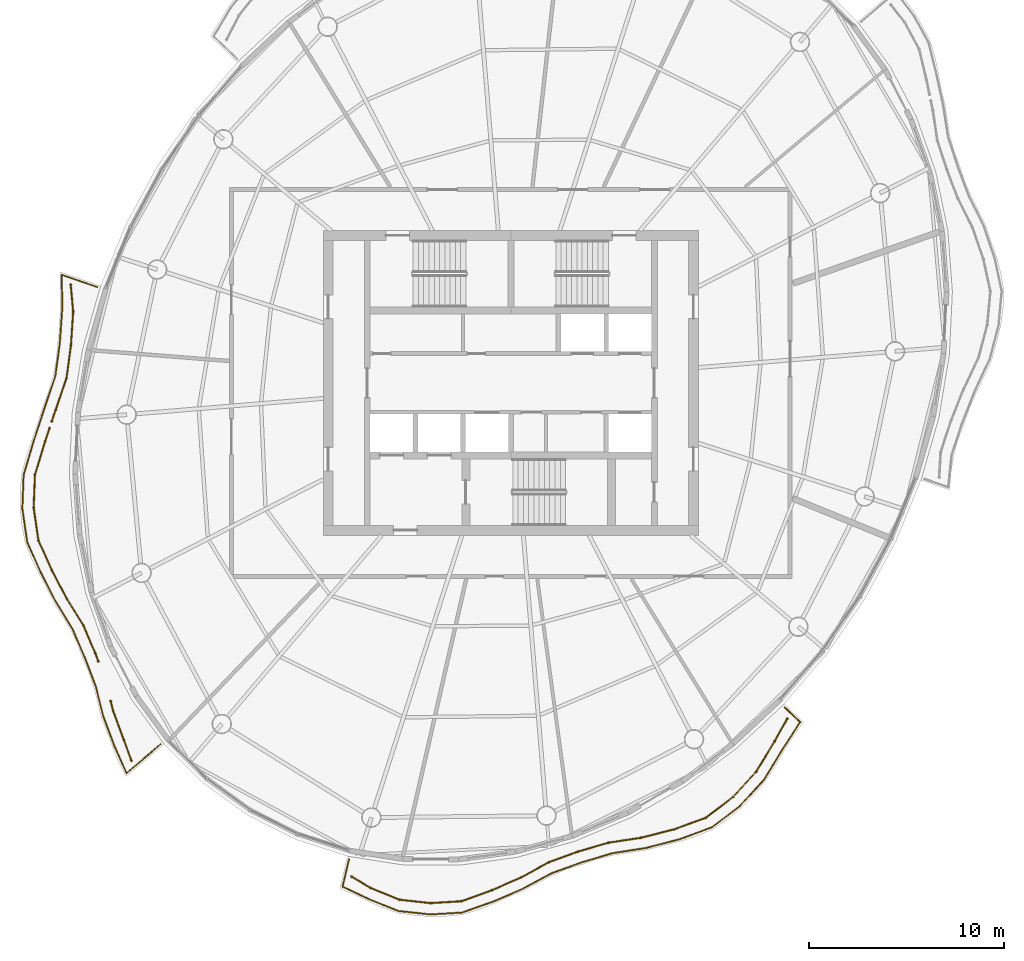
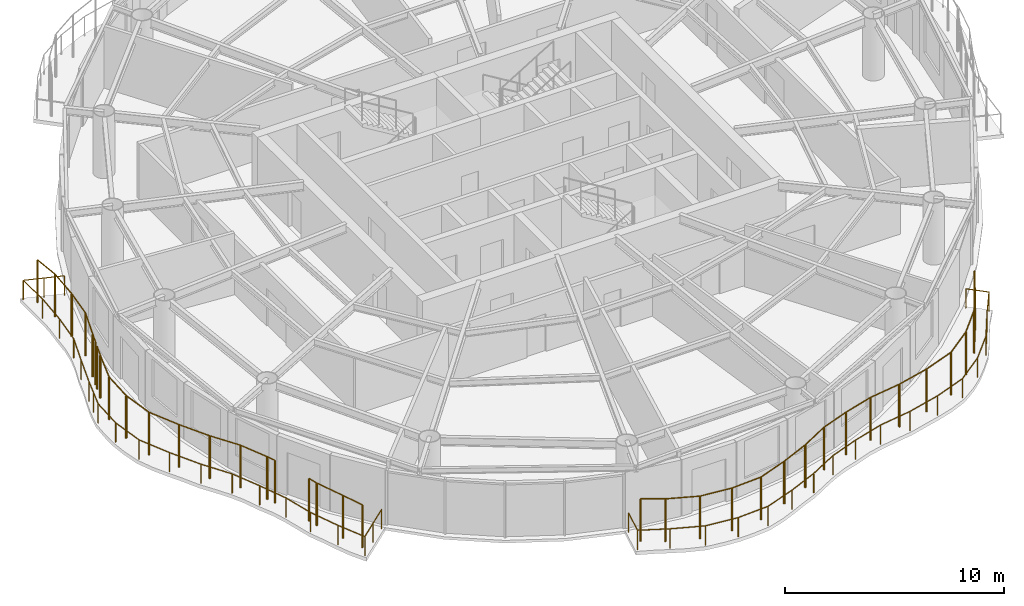
# One storey, part 12 of 14: 6 railings.
"""IFC4 building model written with IfcOpenShell, lengths in metres."""

from ifc_helpers import new_model, si_unit, direction, frame, origin, origin_2d, place, context, subcontext, project, spatial, circle, extrude, material, type_object, element, save


model = new_model("IFC4")

# Units and contexts
model_context = context("Model", 3, precision=1e-05, world=origin(), true_north=direction((0.0, 1.0)))
body_context = subcontext(model_context, "Body", "Model", "MODEL_VIEW")
ifc_project = project(units=[si_unit("LENGTHUNIT", "METRE"), si_unit("AREAUNIT", "SQUARE_METRE"), si_unit("VOLUMEUNIT", "CUBIC_METRE"), si_unit("PLANEANGLEUNIT", "RADIAN"), si_unit("MASSUNIT", "GRAM", prefix="KILO")], contexts=[model_context])

# Site, building, storey
site_placement = place(None, origin())
site = spatial("IfcSite", under=ifc_project, at=site_placement, CompositionType="ELEMENT")
building_placement = place(site_placement, origin())
building = spatial("IfcBuilding", under=site, at=building_placement, Name="Vermilion Reach Broadcast Tower", CompositionType="ELEMENT")
storey_placement = place(building_placement, frame((0.0, 0.0, 268.5)))
storey = spatial("IfcBuildingStorey", under=building, at=storey_placement, Name="L66", CompositionType="ELEMENT", Elevation=268.5)

# Railings
ifc_material_1 = material(Name="Terracotta baguette", Category="masonry")
railing_type_1 = type_object("IfcRailingType", Name="BAGUETTE SCREEN", PredefinedType="USERDEFINED", material=ifc_material_1)
railing_1_placement = place(storey_placement, frame((-28.5302734375, 5.02978515625, 0.0)))
element("IfcRailing", 1, at=railing_1_placement, inside=storey, type_object=railing_type_1, Name="Baguette screen L66 group 2 part 1", ObjectType="BAGUETTE SCREEN", PredefinedType="USERDEFINED", context=body_context, shape_type="SweptSolid", body=[
    extrude(circle(Radius=0.030029296875, at=origin_2d()), frame((0.0, 0.0, 2.369873046875), z_axis=(0.089395533047, -0.995996204145, 0.0), x_axis=(0.995996204145, 0.089395533047, 0.0)), (0.0, 0.0, 1.0), 1.39013671875),
    extrude(circle(Radius=0.030029296875, at=origin_2d()), frame((0.124267578125, -1.384521484375, 2.369873046875), z_axis=(-0.066658723078, -0.997775833861, 0.0), x_axis=(0.997775833861, -0.066658723078, 0.0)), (0.0, 0.0, 1.0), 1.73974609375),
    extrude(circle(Radius=0.030029296875, at=origin_2d()), frame((0.00830078125, -3.120361328125, 2.369873046875), z_axis=(-0.133747742675, -0.991015409229, 0.0), x_axis=(0.991015409229, -0.133747742675, 0.0)), (0.0, 0.0, 1.0), 1.67578125),
    extrude(circle(Radius=0.030029296875, at=origin_2d()), frame((-0.2158203125, -4.781005859375, 2.369873046875), z_axis=(-0.324765123047, -0.945794700161, 0.0), x_axis=(0.945794700161, -0.324765123047, 0.0)), (0.0, 0.0, 1.0), 1.713134765625),
    extrude(circle(Radius=0.030029296875, at=origin_2d()), frame((-0.772216796875, -6.4013671875, 2.369873046875), z_axis=(-0.315762230803, -0.948838349561, 0.0), x_axis=(0.948838349561, -0.315762230803, 0.0)), (0.0, 0.0, 1.0), 0.62939453125),
    extrude(circle(Radius=0.050048828125, at=origin_2d()), origin(), (0.0, 0.0, 1.0), 2.33984375),
    extrude(circle(Radius=0.050048828125, at=origin_2d()), frame((0.124267578125, -1.384521484375, 0.0)), (0.0, 0.0, 1.0), 2.33984375),
    extrude(circle(Radius=0.050048828125, at=origin_2d()), frame((0.00830078125, -3.120361328125, 0.0)), (0.0, 0.0, 1.0), 2.33984375),
    extrude(circle(Radius=0.050048828125, at=origin_2d()), frame((-0.2158203125, -4.781005859375, 0.0)), (0.0, 0.0, 1.0), 2.33984375),
    extrude(circle(Radius=0.050048828125, at=origin_2d()), frame((-0.772216796875, -6.4013671875, 0.0)), (0.0, 0.0, 1.0), 2.33984375),
    extrude(circle(Radius=0.050048828125, at=origin_2d()), frame((-0.970947265625, -6.99853515625, 0.0)), (0.0, 0.0, 1.0), 2.33984375),
])
railing_2_placement = place(storey_placement, frame((-29.61767578125, -2.31884765625, 0.0)))
element("IfcRailing", 2, at=railing_2_placement, inside=storey, type_object=railing_type_1, Name="Baguette screen L66 group 2 part 2", ObjectType="BAGUETTE SCREEN", PredefinedType="USERDEFINED", context=body_context, shape_type="SweptSolid", body=[
    extrude(circle(Radius=0.030029296875, at=origin_2d()), frame((0.0, 0.0, 2.369873046875), z_axis=(-0.315720674798, -0.9488521779, 0.0), x_axis=(0.9488521779, -0.315720674798, 0.0)), (0.0, 0.0, 1.0), 0.72216796875),
    extrude(circle(Radius=0.030029296875, at=origin_2d()), frame((-0.22802734375, -0.685302734375, 2.369873046875), z_axis=(-0.291348424108, -0.956617005792, 0.0), x_axis=(0.956617005792, -0.291348424108, 0.0)), (0.0, 0.0, 1.0), 1.76806640625),
    extrude(circle(Radius=0.030029296875, at=origin_2d()), frame((-0.7431640625, -2.376708984375, 2.369873046875), z_axis=(-0.040360889197, -0.999185167335, 0.0), x_axis=(0.999185167335, -0.040360889197, 0.0)), (0.0, 0.0, 1.0), 1.687744140625),
    extrude(circle(Radius=0.030029296875, at=origin_2d()), frame((-0.811279296875, -4.06298828125, 2.369873046875), z_axis=(0.144088942447, -0.989564741017, 0.0), x_axis=(0.989564741017, 0.144088942447, 0.0)), (0.0, 0.0, 1.0), 1.69091796875),
    extrude(circle(Radius=0.030029296875, at=origin_2d()), frame((-0.567626953125, -5.736328125, 2.369873046875), z_axis=(0.411284471127, -0.911507039913, 0.0), x_axis=(0.911507039913, 0.411284471127, 0.0)), (0.0, 0.0, 1.0), 1.688232421875),
    extrude(circle(Radius=0.030029296875, at=origin_2d()), frame((0.126708984375, -7.275146484375, 2.369873046875), z_axis=(0.462897434216, -0.886411848632, 0.0), x_axis=(0.886411848632, 0.462897434216, 0.0)), (0.0, 0.0, 1.0), 1.661376953125),
    extrude(circle(Radius=0.030029296875, at=origin_2d()), frame((0.895751953125, -8.747802734375, 2.369873046875), z_axis=(0.528664523033, -0.848830855993, 0.0), x_axis=(0.848830855993, 0.528664523033, 0.0)), (0.0, 0.0, 1.0), 1.595947265625),
    extrude(circle(Radius=0.030029296875, at=origin_2d()), frame((1.739501953125, -10.1025390625, 2.369873046875), z_axis=(0.392708114985, -0.919663164656, 0.0), x_axis=(0.919663164656, 0.392708114985, 0.0)), (0.0, 0.0, 1.0), 1.532958984375),
    extrude(circle(Radius=0.030029296875, at=origin_2d()), frame((2.341552734375, -11.512451171875, 2.369873046875), z_axis=(0.356996961049, -0.934105545322, 0.0), x_axis=(0.934105545322, 0.356996961049, 0.0)), (0.0, 0.0, 1.0), 0.44580078125),
    extrude(circle(Radius=0.050048828125, at=origin_2d()), origin(), (0.0, 0.0, 1.0), 2.33984375),
    extrude(circle(Radius=0.050048828125, at=origin_2d()), frame((-0.22802734375, -0.685302734375, 0.0)), (0.0, 0.0, 1.0), 2.33984375),
    extrude(circle(Radius=0.050048828125, at=origin_2d()), frame((-0.7431640625, -2.376708984375, 0.0)), (0.0, 0.0, 1.0), 2.33984375),
    extrude(circle(Radius=0.050048828125, at=origin_2d()), frame((-0.811279296875, -4.06298828125, 0.0)), (0.0, 0.0, 1.0), 2.33984375),
    extrude(circle(Radius=0.050048828125, at=origin_2d()), frame((-0.567626953125, -5.736328125, 0.0)), (0.0, 0.0, 1.0), 2.33984375),
    extrude(circle(Radius=0.050048828125, at=origin_2d()), frame((0.126708984375, -7.275146484375, 0.0)), (0.0, 0.0, 1.0), 2.33984375),
    extrude(circle(Radius=0.050048828125, at=origin_2d()), frame((0.895751953125, -8.747802734375, 0.0)), (0.0, 0.0, 1.0), 2.33984375),
    extrude(circle(Radius=0.050048828125, at=origin_2d()), frame((1.739501953125, -10.1025390625, 0.0)), (0.0, 0.0, 1.0), 2.33984375),
    extrude(circle(Radius=0.050048828125, at=origin_2d()), frame((2.341552734375, -11.512451171875, 0.0)), (0.0, 0.0, 1.0), 2.33984375),
    extrude(circle(Radius=0.050048828125, at=origin_2d()), frame((2.500732421875, -11.928955078125, 0.0)), (0.0, 0.0, 1.0), 2.33984375),
])
railing_3_placement = place(storey_placement, frame((-26.484375, -16.2861328125, 0.0)))
element("IfcRailing", 3, at=railing_3_placement, inside=storey, type_object=railing_type_1, Name="Baguette screen L66 group 2 part 3", ObjectType="BAGUETTE SCREEN", PredefinedType="USERDEFINED", context=body_context, shape_type="SweptSolid", body=[
    extrude(circle(Radius=0.030029296875, at=origin_2d()), frame((0.0, 0.0, 2.369873046875), z_axis=(0.235544310267, -0.97186361075, 0.0), x_axis=(0.97186361075, 0.235544310267, 0.0)), (0.0, 0.0, 1.0), 0.501708984375),
    extrude(circle(Radius=0.030029296875, at=origin_2d()), frame((0.1181640625, -0.487548828125, 2.369873046875), z_axis=(0.347786913493, -0.937573603939, 0.0), x_axis=(0.937573603939, 0.347786913493, 0.0)), (0.0, 0.0, 1.0), 1.564697265625),
    extrude(circle(Radius=0.030029296875, at=origin_2d()), frame((0.662353515625, -1.95458984375, 2.369873046875), z_axis=(0.341186683094, -0.939995557053, 0.0), x_axis=(0.939995557053, 0.341186683094, 0.0)), (0.0, 0.0, 1.0), 1.162841796875),
    extrude(circle(Radius=0.050048828125, at=origin_2d()), origin(), (0.0, 0.0, 1.0), 2.33984375),
    extrude(circle(Radius=0.050048828125, at=origin_2d()), frame((0.1181640625, -0.487548828125, 0.0)), (0.0, 0.0, 1.0), 2.33984375),
    extrude(circle(Radius=0.050048828125, at=origin_2d()), frame((0.662353515625, -1.95458984375, 0.0)), (0.0, 0.0, 1.0), 2.33984375),
    extrude(circle(Radius=0.050048828125, at=origin_2d()), frame((1.05908203125, -3.047607421875, 0.0)), (0.0, 0.0, 1.0), 2.33984375),
])
railing_4_placement = place(storey_placement, frame((-14.15380859375, -25.265380859375, 0.0)))
element("IfcRailing", 4, at=railing_4_placement, inside=storey, type_object=railing_type_1, Name="Baguette screen L66 group 3", ObjectType="BAGUETTE SCREEN", PredefinedType="USERDEFINED", context=body_context, shape_type="SweptSolid", body=[
    extrude(circle(Radius=0.030029296875, at=origin_2d()), frame((0.0, 0.0, 2.369873046875), z_axis=(0.857549940922, -0.514400718142, 0.0), x_axis=(0.514400718142, 0.857549940922, 0.0)), (0.0, 0.0, 1.0), 1.13330078125),
    extrude(circle(Radius=0.030029296875, at=origin_2d()), frame((0.971923828125, -0.5830078125, 2.369873046875), z_axis=(0.926238492576, -0.376937998709, 0.0), x_axis=(0.376937998709, 0.926238492576, 0.0)), (0.0, 0.0, 1.0), 1.59912109375),
    extrude(circle(Radius=0.030029296875, at=origin_2d()), frame((2.453125, -1.185791015625, 2.369873046875), z_axis=(0.994046857087, -0.108953411676, 0.0), x_axis=(0.108953411676, 0.994046857087, 0.0)), (0.0, 0.0, 1.0), 1.595458984375),
    extrude(circle(Radius=0.030029296875, at=origin_2d()), frame((4.0390625, -1.359619140625, 2.369873046875), z_axis=(0.998239222995, 0.059316554815, 0.0), x_axis=(-0.059316554815, 0.998239222995, 0.0)), (0.0, 0.0, 1.0), 1.588623046875),
    extrude(circle(Radius=0.030029296875, at=origin_2d()), frame((5.625, -1.265380859375, 2.369873046875), z_axis=(0.940260975704, 0.340454545523, 0.0), x_axis=(-0.340454545523, 0.940260975704, 0.0)), (0.0, 0.0, 1.0), 1.65869140625),
    extrude(circle(Radius=0.030029296875, at=origin_2d()), frame((7.1845703125, -0.70068359375, 2.369873046875), z_axis=(0.915822176932, 0.401584038826, 0.0), x_axis=(-0.401584038826, 0.915822176932, 0.0)), (0.0, 0.0, 1.0), 1.623291015625),
    extrude(circle(Radius=0.030029296875, at=origin_2d()), frame((8.671142578125, -0.048828125, 2.369873046875), z_axis=(0.877935309599, 0.4787792729, 0.0), x_axis=(-0.4787792729, 0.877935309599, 0.0)), (0.0, 0.0, 1.0), 1.6435546875),
    extrude(circle(Radius=0.030029296875, at=origin_2d()), frame((10.114013671875, 0.738037109375, 2.369873046875), z_axis=(0.939648035772, 0.342142614813, 0.0), x_axis=(-0.342142614813, 0.939648035772, 0.0)), (0.0, 0.0, 1.0), 1.56982421875),
    extrude(circle(Radius=0.030029296875, at=origin_2d()), frame((11.589111328125, 1.275146484375, 2.369873046875), z_axis=(0.959343833824, 0.282239983887, 0.0), x_axis=(-0.282239983887, 0.959343833824, 0.0)), (0.0, 0.0, 1.0), 1.614990234375),
    extrude(circle(Radius=0.030029296875, at=origin_2d()), frame((13.138427734375, 1.73095703125, 2.369873046875), z_axis=(0.988783410017, 0.149356513334, 0.0), x_axis=(-0.149356513334, 0.988783410017, 0.0)), (0.0, 0.0, 1.0), 1.69189453125),
    extrude(circle(Radius=0.030029296875, at=origin_2d()), frame((14.811279296875, 1.983642578125, 2.369873046875), z_axis=(0.969303981799, 0.245865391768, 0.0), x_axis=(-0.245865391768, 0.969303981799, 0.0)), (0.0, 0.0, 1.0), 1.74169921875),
    extrude(circle(Radius=0.030029296875, at=origin_2d()), frame((16.49951171875, 2.411865234375, 2.369873046875), z_axis=(0.93935946701, 0.342934092412, 0.0), x_axis=(-0.342934092412, 0.93935946701, 0.0)), (0.0, 0.0, 1.0), 1.744140625),
    extrude(circle(Radius=0.030029296875, at=origin_2d()), frame((18.137939453125, 3.010009765625, 2.369873046875), z_axis=(0.795124530641, 0.606446189511, 0.0), x_axis=(-0.606446189511, 0.795124530641, 0.0)), (0.0, 0.0, 1.0), 1.751953125),
    extrude(circle(Radius=0.030029296875, at=origin_2d()), frame((19.531005859375, 4.072509765625, 2.369873046875), z_axis=(0.674335147769, 0.738425425133, 0.0), x_axis=(-0.738425425133, 0.674335147769, 0.0)), (0.0, 0.0, 1.0), 1.760009765625),
    extrude(circle(Radius=0.030029296875, at=origin_2d()), frame((20.7177734375, 5.3720703125, 2.369873046875), z_axis=(0.517506006285, 0.855679574057, 0.0), x_axis=(-0.855679574057, 0.517506006285, 0.0)), (0.0, 0.0, 1.0), 1.822998046875),
    extrude(circle(Radius=0.030029296875, at=origin_2d()), frame((21.6611328125, 6.931884765625, 2.369873046875), z_axis=(0.489864300538, 0.871798696408, 0.0), x_axis=(-0.871798696408, 0.489864300538, 0.0)), (0.0, 0.0, 1.0), 1.314208984375),
    extrude(circle(Radius=0.050048828125, at=origin_2d()), origin(), (0.0, 0.0, 1.0), 2.33984375),
    extrude(circle(Radius=0.050048828125, at=origin_2d()), frame((0.971923828125, -0.5830078125, 0.0)), (0.0, 0.0, 1.0), 2.33984375),
    extrude(circle(Radius=0.050048828125, at=origin_2d()), frame((2.453125, -1.185791015625, 0.0)), (0.0, 0.0, 1.0), 2.33984375),
    extrude(circle(Radius=0.050048828125, at=origin_2d()), frame((4.0390625, -1.359619140625, 0.0)), (0.0, 0.0, 1.0), 2.33984375),
    extrude(circle(Radius=0.050048828125, at=origin_2d()), frame((5.625, -1.265380859375, 0.0)), (0.0, 0.0, 1.0), 2.33984375),
    extrude(circle(Radius=0.050048828125, at=origin_2d()), frame((7.1845703125, -0.70068359375, 0.0)), (0.0, 0.0, 1.0), 2.33984375),
    extrude(circle(Radius=0.050048828125, at=origin_2d()), frame((8.671142578125, -0.048828125, 0.0)), (0.0, 0.0, 1.0), 2.33984375),
    extrude(circle(Radius=0.050048828125, at=origin_2d()), frame((10.114013671875, 0.738037109375, 0.0)), (0.0, 0.0, 1.0), 2.33984375),
    extrude(circle(Radius=0.050048828125, at=origin_2d()), frame((11.589111328125, 1.275146484375, 0.0)), (0.0, 0.0, 1.0), 2.33984375),
    extrude(circle(Radius=0.050048828125, at=origin_2d()), frame((13.138427734375, 1.73095703125, 0.0)), (0.0, 0.0, 1.0), 2.33984375),
    extrude(circle(Radius=0.050048828125, at=origin_2d()), frame((14.811279296875, 1.983642578125, 0.0)), (0.0, 0.0, 1.0), 2.33984375),
    extrude(circle(Radius=0.050048828125, at=origin_2d()), frame((16.49951171875, 2.411865234375, 0.0)), (0.0, 0.0, 1.0), 2.33984375),
    extrude(circle(Radius=0.050048828125, at=origin_2d()), frame((18.137939453125, 3.010009765625, 0.0)), (0.0, 0.0, 1.0), 2.33984375),
    extrude(circle(Radius=0.050048828125, at=origin_2d()), frame((19.531005859375, 4.072509765625, 0.0)), (0.0, 0.0, 1.0), 2.33984375),
    extrude(circle(Radius=0.050048828125, at=origin_2d()), frame((20.7177734375, 5.3720703125, 0.0)), (0.0, 0.0, 1.0), 2.33984375),
    extrude(circle(Radius=0.050048828125, at=origin_2d()), frame((21.189453125, 6.15185546875, 0.0)), (0.0, 0.0, 1.0), 2.33984375),
    extrude(circle(Radius=0.050048828125, at=origin_2d()), frame((21.6611328125, 6.931884765625, 0.0)), (0.0, 0.0, 1.0), 2.33984375),
    extrude(circle(Radius=0.050048828125, at=origin_2d()), frame((22.304931640625, 8.07763671875, 0.0)), (0.0, 0.0, 1.0), 2.33984375),
])
ifc_material_2 = material(Name="Stainless steel 316 balustrade", Category="steel")
railing_type_2 = type_object("IfcRailingType", Name="Balcony guard 1100", PredefinedType="BALUSTRADE", material=ifc_material_2)
railing_5_placement = place(storey_placement, frame((-27.17431640625, 4.910400390625, 0.0)))
element("IfcRailing", 5, at=railing_5_placement, inside=storey, type_object=railing_type_2, Name="Balcony guard L66 group 2", PredefinedType="BALUSTRADE", context=body_context, shape_type="SweptSolid", body=[
    extrude(circle(Radius=0.02490234375, at=origin_2d()), frame((0.0, 0.0, 1.0751953125), z_axis=(-0.945297241815, 0.326210246032, 0.0), x_axis=(-0.326210246032, -0.945297241815, 0.0)), (0.0, 0.0, 1.0), 1.9189453125),
    extrude(circle(Radius=0.02490234375, at=origin_2d()), frame((-1.81396484375, 0.6259765625, 1.0751953125), z_axis=(0.014091047298, -0.999900716264, 0.0), x_axis=(0.999900716264, 0.014091047298, 0.0)), (0.0, 0.0, 1.0), 1.732666015625),
    extrude(circle(Radius=0.02490234375, at=origin_2d()), frame((-1.78955078125, -1.1064453125, 1.0751953125), z_axis=(-0.070003281481, -0.9975467611, 0.0), x_axis=(0.9975467611, -0.070003281481, 0.0)), (0.0, 0.0, 1.0), 1.771728515625),
    extrude(circle(Radius=0.02490234375, at=origin_2d()), frame((-1.91357421875, -2.873779296875, 1.0751953125), z_axis=(-0.134775171086, -0.99087620481, 0.0), x_axis=(0.99087620481, -0.134775171086, 0.0)), (0.0, 0.0, 1.0), 1.708251953125),
    extrude(circle(Radius=0.02490234375, at=origin_2d()), frame((-2.143798828125, -4.56640625, 1.0751953125), z_axis=(-0.321213523008, -0.94700679651, 0.0), x_axis=(0.94700679651, -0.321213523008, 0.0)), (0.0, 0.0, 1.0), 1.74658203125),
    extrude(circle(Radius=0.02490234375, at=origin_2d()), frame((-2.704833984375, -6.220458984375, 1.0751953125), z_axis=(-0.311295123477, -0.950313288395, 0.0), x_axis=(0.950313288395, -0.311295123477, 0.0)), (0.0, 0.0, 1.0), 1.753662109375),
    extrude(circle(Radius=0.02490234375, at=origin_2d()), frame((-3.250732421875, -7.886962890625, 1.0751953125), z_axis=(-0.286241587975, -0.958157478348, 0.0), x_axis=(0.958157478348, -0.286241587975, 0.0)), (0.0, 0.0, 1.0), 1.80224609375),
    extrude(circle(Radius=0.02490234375, at=origin_2d()), frame((-3.7666015625, -9.61376953125, 1.0751953125), z_axis=(-0.038541959625, -0.999256982637, 0.0), x_axis=(0.999256982637, -0.038541959625, 0.0)), (0.0, 0.0, 1.0), 1.722900390625),
    extrude(circle(Radius=0.02490234375, at=origin_2d()), frame((-3.8330078125, -11.33544921875, 1.0751953125), z_axis=(0.143398991079, -0.989664958134, 0.0), x_axis=(0.989664958134, 0.143398991079, 0.0)), (0.0, 0.0, 1.0), 1.72802734375),
    extrude(circle(Radius=0.02490234375, at=origin_2d()), frame((-3.585205078125, -13.045654296875, 1.0751953125), z_axis=(0.406256707788, -0.913758987577, 0.0), x_axis=(0.913758987577, 0.406256707788, 0.0)), (0.0, 0.0, 1.0), 1.72412109375),
    extrude(circle(Radius=0.02490234375, at=origin_2d()), frame((-2.884765625, -14.62109375, 1.0751953125), z_axis=(0.457984111887, -0.888960377778, 0.0), x_axis=(0.888960377778, 0.457984111887, 0.0)), (0.0, 0.0, 1.0), 1.699462890625),
    extrude(circle(Radius=0.02490234375, at=origin_2d()), frame((-2.1064453125, -16.1318359375, 1.0751953125), z_axis=(0.523388661591, -0.85209407281, 0.0), x_axis=(0.85209407281, 0.523388661591, 0.0)), (0.0, 0.0, 1.0), 1.634033203125),
    extrude(circle(Radius=0.02490234375, at=origin_2d()), frame((-1.251220703125, -17.524169921875, 1.0751953125), z_axis=(0.392046804897, -0.919945271617, 0.0), x_axis=(0.919945271617, 0.392046804897, 0.0)), (0.0, 0.0, 1.0), 1.57421875),
    extrude(circle(Radius=0.02490234375, at=origin_2d()), frame((-0.634033203125, -18.972412109375, 1.0751953125), z_axis=(0.359148556882, -0.933280404857, 0.0), x_axis=(0.933280404857, 0.359148556882, 0.0)), (0.0, 0.0, 1.0), 1.54443359375),
    extrude(circle(Radius=0.02490234375, at=origin_2d()), frame((-0.079345703125, -20.413818359375, 1.0751953125), z_axis=(0.242889262478, -0.970054022296, 0.0), x_axis=(0.970054022296, 0.242889262478, 0.0)), (0.0, 0.0, 1.0), 1.624267578125),
    extrude(circle(Radius=0.02490234375, at=origin_2d()), frame((0.315185546875, -21.989501953125, 1.0751953125), z_axis=(0.353586722966, -0.935401747562, 0.0), x_axis=(0.935401747562, 0.353586722966, 0.0)), (0.0, 0.0, 1.0), 1.606689453125),
    extrude(circle(Radius=0.02490234375, at=origin_2d()), frame((0.88330078125, -23.492431640625, 1.0751953125), z_axis=(0.405396144347, -0.914141108445, 0.0), x_axis=(0.914141108445, 0.405396144347, 0.0)), (0.0, 0.0, 1.0), 1.526123046875),
    extrude(circle(Radius=0.02490234375, at=origin_2d()), frame((1.501953125, -24.887451171875, 1.0751953125), z_axis=(0.760579914988, 0.649244324516, 0.0), x_axis=(-0.649244324516, 0.760579914988, 0.0)), (0.0, 0.0, 1.0), 2.289306640625),
    extrude(circle(Radius=0.02490234375, at=origin_2d()), origin(), (0.0, 0.0, 1.0), 1.050048828125),
    extrude(circle(Radius=0.02490234375, at=origin_2d()), frame((-0.906982421875, 0.31298828125, 0.0)), (0.0, 0.0, 1.0), 1.050048828125),
    extrude(circle(Radius=0.02490234375, at=origin_2d()), frame((-1.81396484375, 0.6259765625, 0.0)), (0.0, 0.0, 1.0), 1.050048828125),
    extrude(circle(Radius=0.02490234375, at=origin_2d()), frame((-1.78955078125, -1.1064453125, 0.0)), (0.0, 0.0, 1.0), 1.050048828125),
    extrude(circle(Radius=0.02490234375, at=origin_2d()), frame((-1.91357421875, -2.873779296875, 0.0)), (0.0, 0.0, 1.0), 1.050048828125),
    extrude(circle(Radius=0.02490234375, at=origin_2d()), frame((-2.143798828125, -4.56640625, 0.0)), (0.0, 0.0, 1.0), 1.050048828125),
    extrude(circle(Radius=0.02490234375, at=origin_2d()), frame((-2.704833984375, -6.220458984375, 0.0)), (0.0, 0.0, 1.0), 1.050048828125),
    extrude(circle(Radius=0.02490234375, at=origin_2d()), frame((-3.250732421875, -7.886962890625, 0.0)), (0.0, 0.0, 1.0), 1.050048828125),
    extrude(circle(Radius=0.02490234375, at=origin_2d()), frame((-3.5087890625, -8.75048828125, 0.0)), (0.0, 0.0, 1.0), 1.050048828125),
    extrude(circle(Radius=0.02490234375, at=origin_2d()), frame((-3.7666015625, -9.61376953125, 0.0)), (0.0, 0.0, 1.0), 1.050048828125),
    extrude(circle(Radius=0.02490234375, at=origin_2d()), frame((-3.8330078125, -11.33544921875, 0.0)), (0.0, 0.0, 1.0), 1.050048828125),
    extrude(circle(Radius=0.02490234375, at=origin_2d()), frame((-3.585205078125, -13.045654296875, 0.0)), (0.0, 0.0, 1.0), 1.050048828125),
    extrude(circle(Radius=0.02490234375, at=origin_2d()), frame((-2.884765625, -14.62109375, 0.0)), (0.0, 0.0, 1.0), 1.050048828125),
    extrude(circle(Radius=0.02490234375, at=origin_2d()), frame((-2.1064453125, -16.1318359375, 0.0)), (0.0, 0.0, 1.0), 1.050048828125),
    extrude(circle(Radius=0.02490234375, at=origin_2d()), frame((-1.251220703125, -17.524169921875, 0.0)), (0.0, 0.0, 1.0), 1.050048828125),
    extrude(circle(Radius=0.02490234375, at=origin_2d()), frame((-0.634033203125, -18.972412109375, 0.0)), (0.0, 0.0, 1.0), 1.050048828125),
    extrude(circle(Radius=0.02490234375, at=origin_2d()), frame((-0.079345703125, -20.413818359375, 0.0)), (0.0, 0.0, 1.0), 1.050048828125),
    extrude(circle(Radius=0.02490234375, at=origin_2d()), frame((0.315185546875, -21.989501953125, 0.0)), (0.0, 0.0, 1.0), 1.050048828125),
    extrude(circle(Radius=0.02490234375, at=origin_2d()), frame((0.88330078125, -23.492431640625, 0.0)), (0.0, 0.0, 1.0), 1.050048828125),
    extrude(circle(Radius=0.02490234375, at=origin_2d()), frame((1.501953125, -24.887451171875, 0.0)), (0.0, 0.0, 1.0), 1.050048828125),
    extrude(circle(Radius=0.02490234375, at=origin_2d()), frame((2.37255859375, -24.144287109375, 0.0)), (0.0, 0.0, 1.0), 1.050048828125),
    extrude(circle(Radius=0.02490234375, at=origin_2d()), frame((3.2431640625, -23.401123046875, 0.0)), (0.0, 0.0, 1.0), 1.050048828125),
])
railing_6_placement = place(storey_placement, frame((-14.28369140625, -24.388671875, 0.0)))
element("IfcRailing", 6, at=railing_6_placement, inside=storey, type_object=railing_type_2, Name="Balcony guard L66 group 3", PredefinedType="BALUSTRADE", context=body_context, shape_type="SweptSolid", body=[
    extrude(circle(Radius=0.02490234375, at=origin_2d()), frame((0.0, 0.0, 1.0751953125), z_axis=(-0.231258492464, -0.972892342278, 0.0), x_axis=(0.972892342278, -0.231258492464, 0.0)), (0.0, 0.0, 1.0), 1.428466796875),
    extrude(circle(Radius=0.02490234375, at=origin_2d()), frame((-0.330322265625, -1.3896484375, 1.0751953125), z_axis=(0.901814696817, -0.432122960054, 0.0), x_axis=(0.432122960054, 0.901814696817, 0.0)), (0.0, 0.0, 1.0), 1.488037109375),
    extrude(circle(Radius=0.02490234375, at=origin_2d()), frame((1.01171875, -2.03271484375, 1.0751953125), z_axis=(0.928876401171, -0.370389836994, 0.0), x_axis=(0.370389836994, 0.928876401171, 0.0)), (0.0, 0.0, 1.0), 1.640625),
    extrude(circle(Radius=0.02490234375, at=origin_2d()), frame((2.53564453125, -2.640380859375, 1.0751953125), z_axis=(0.994229401846, -0.107274864278, 0.0), x_axis=(0.107274864278, 0.994229401846, 0.0)), (0.0, 0.0, 1.0), 1.638671875),
    extrude(circle(Radius=0.02490234375, at=origin_2d()), frame((4.164794921875, -2.816162109375, 1.0751953125), z_axis=(0.998292402928, 0.058414709249, 0.0), x_axis=(-0.058414709249, 0.998292402928, 0.0)), (0.0, 0.0, 1.0), 1.6298828125),
    extrude(circle(Radius=0.02490234375, at=origin_2d()), frame((5.7919921875, -2.720947265625, 1.0751953125), z_axis=(0.942261056348, 0.334879234486, 0.0), x_axis=(-0.334879234486, 0.942261056348, 0.0)), (0.0, 0.0, 1.0), 1.69873046875),
    extrude(circle(Radius=0.02490234375, at=origin_2d()), frame((7.392578125, -2.152099609375, 1.0751953125), z_axis=(0.918115826455, 0.396312161323, 0.0), x_axis=(-0.396312161323, 0.918115826455, 0.0)), (0.0, 0.0, 1.0), 1.661376953125),
    extrude(circle(Radius=0.02490234375, at=origin_2d()), frame((8.91796875, -1.49365234375, 1.0751953125), z_axis=(0.880792605237, 0.473502256129, 0.0), x_axis=(-0.473502256129, 0.880792605237, 0.0)), (0.0, 0.0, 1.0), 1.681396484375),
    extrude(circle(Radius=0.02490234375, at=origin_2d()), frame((10.39892578125, -0.697509765625, 1.0751953125), z_axis=(0.940028313791, 0.34109642225, 0.0), x_axis=(-0.34109642225, 0.940028313791, 0.0)), (0.0, 0.0, 1.0), 1.60693359375),
    extrude(circle(Radius=0.02490234375, at=origin_2d()), frame((11.909423828125, -0.1494140625, 1.0751953125), z_axis=(0.958824940296, 0.283997770881, 0.0), x_axis=(-0.283997770881, 0.958824940296, 0.0)), (0.0, 0.0, 1.0), 1.65234375),
    extrude(circle(Radius=0.02490234375, at=origin_2d()), frame((13.49365234375, 0.31982421875, 1.0751953125), z_axis=(0.987930988813, 0.154894678229, 0.0), x_axis=(-0.154894678229, 0.987930988813, 0.0)), (0.0, 0.0, 1.0), 1.725830078125),
    extrude(circle(Radius=0.02490234375, at=origin_2d()), frame((15.19873046875, 0.587158203125, 1.0751953125), z_axis=(0.968120475496, 0.250485019363, 0.0), x_axis=(-0.250485019363, 0.968120475496, 0.0)), (0.0, 0.0, 1.0), 1.77587890625),
    extrude(circle(Radius=0.02490234375, at=origin_2d()), frame((16.91796875, 1.031982421875, 1.0751953125), z_axis=(0.938000323314, 0.346634380094, 0.0), x_axis=(-0.346634380094, 0.938000323314, 0.0)), (0.0, 0.0, 1.0), 1.777587890625),
    extrude(circle(Radius=0.02490234375, at=origin_2d()), frame((18.58544921875, 1.648193359375, 1.0751953125), z_axis=(0.795648207398, 0.605758970272, 0.0), x_axis=(-0.605758970272, 0.795648207398, 0.0)), (0.0, 0.0, 1.0), 1.785888671875),
    extrude(circle(Radius=0.02490234375, at=origin_2d()), frame((20.00634765625, 2.72998046875, 1.0751953125), z_axis=(0.676575387578, 0.736373373313, 0.0), x_axis=(-0.736373373313, 0.676575387578, 0.0)), (0.0, 0.0, 1.0), 1.792236328125),
    extrude(circle(Radius=0.02490234375, at=origin_2d()), frame((21.218994140625, 4.0498046875, 1.0751953125), z_axis=(0.522009199347, 0.852939854736, 0.0), x_axis=(-0.852939854736, 0.522009199347, 0.0)), (0.0, 0.0, 1.0), 1.85400390625),
    extrude(circle(Radius=0.02490234375, at=origin_2d()), frame((22.186767578125, 5.631103515625, 1.0751953125), z_axis=(0.545927330747, 0.837832530727, 0.0), x_axis=(-0.837832530727, 0.545927330747, 0.0)), (0.0, 0.0, 1.0), 1.66259765625),
    extrude(circle(Radius=0.02490234375, at=origin_2d()), frame((23.094482421875, 7.024169921875, 1.0751953125), z_axis=(-0.721266715198, 0.692657437372, 0.0), x_axis=(-0.692657437372, -0.721266715198, 0.0)), (0.0, 0.0, 1.0), 1.09228515625),
    extrude(circle(Radius=0.02490234375, at=origin_2d()), origin(), (0.0, 0.0, 1.0), 1.050048828125),
    extrude(circle(Radius=0.02490234375, at=origin_2d()), frame((-0.330322265625, -1.3896484375, 0.0)), (0.0, 0.0, 1.0), 1.050048828125),
    extrude(circle(Radius=0.02490234375, at=origin_2d()), frame((1.01171875, -2.03271484375, 0.0)), (0.0, 0.0, 1.0), 1.050048828125),
    extrude(circle(Radius=0.02490234375, at=origin_2d()), frame((2.53564453125, -2.640380859375, 0.0)), (0.0, 0.0, 1.0), 1.050048828125),
    extrude(circle(Radius=0.02490234375, at=origin_2d()), frame((4.164794921875, -2.816162109375, 0.0)), (0.0, 0.0, 1.0), 1.050048828125),
    extrude(circle(Radius=0.02490234375, at=origin_2d()), frame((5.7919921875, -2.720947265625, 0.0)), (0.0, 0.0, 1.0), 1.050048828125),
    extrude(circle(Radius=0.02490234375, at=origin_2d()), frame((7.392578125, -2.152099609375, 0.0)), (0.0, 0.0, 1.0), 1.050048828125),
    extrude(circle(Radius=0.02490234375, at=origin_2d()), frame((8.91796875, -1.49365234375, 0.0)), (0.0, 0.0, 1.0), 1.050048828125),
    extrude(circle(Radius=0.02490234375, at=origin_2d()), frame((10.39892578125, -0.697509765625, 0.0)), (0.0, 0.0, 1.0), 1.050048828125),
    extrude(circle(Radius=0.02490234375, at=origin_2d()), frame((11.909423828125, -0.1494140625, 0.0)), (0.0, 0.0, 1.0), 1.050048828125),
    extrude(circle(Radius=0.02490234375, at=origin_2d()), frame((13.49365234375, 0.31982421875, 0.0)), (0.0, 0.0, 1.0), 1.050048828125),
    extrude(circle(Radius=0.02490234375, at=origin_2d()), frame((15.19873046875, 0.587158203125, 0.0)), (0.0, 0.0, 1.0), 1.050048828125),
    extrude(circle(Radius=0.02490234375, at=origin_2d()), frame((16.91796875, 1.031982421875, 0.0)), (0.0, 0.0, 1.0), 1.050048828125),
    extrude(circle(Radius=0.02490234375, at=origin_2d()), frame((18.58544921875, 1.648193359375, 0.0)), (0.0, 0.0, 1.0), 1.050048828125),
    extrude(circle(Radius=0.02490234375, at=origin_2d()), frame((20.00634765625, 2.72998046875, 0.0)), (0.0, 0.0, 1.0), 1.050048828125),
    extrude(circle(Radius=0.02490234375, at=origin_2d()), frame((21.218994140625, 4.0498046875, 0.0)), (0.0, 0.0, 1.0), 1.050048828125),
    extrude(circle(Radius=0.02490234375, at=origin_2d()), frame((21.702880859375, 4.84033203125, 0.0)), (0.0, 0.0, 1.0), 1.050048828125),
    extrude(circle(Radius=0.02490234375, at=origin_2d()), frame((22.186767578125, 5.631103515625, 0.0)), (0.0, 0.0, 1.0), 1.050048828125),
    extrude(circle(Radius=0.02490234375, at=origin_2d()), frame((23.094482421875, 7.024169921875, 0.0)), (0.0, 0.0, 1.0), 1.050048828125),
    extrude(circle(Radius=0.02490234375, at=origin_2d()), frame((22.306640625, 7.78076171875, 0.0)), (0.0, 0.0, 1.0), 1.050048828125),
])

save(model, "model.ifc")
